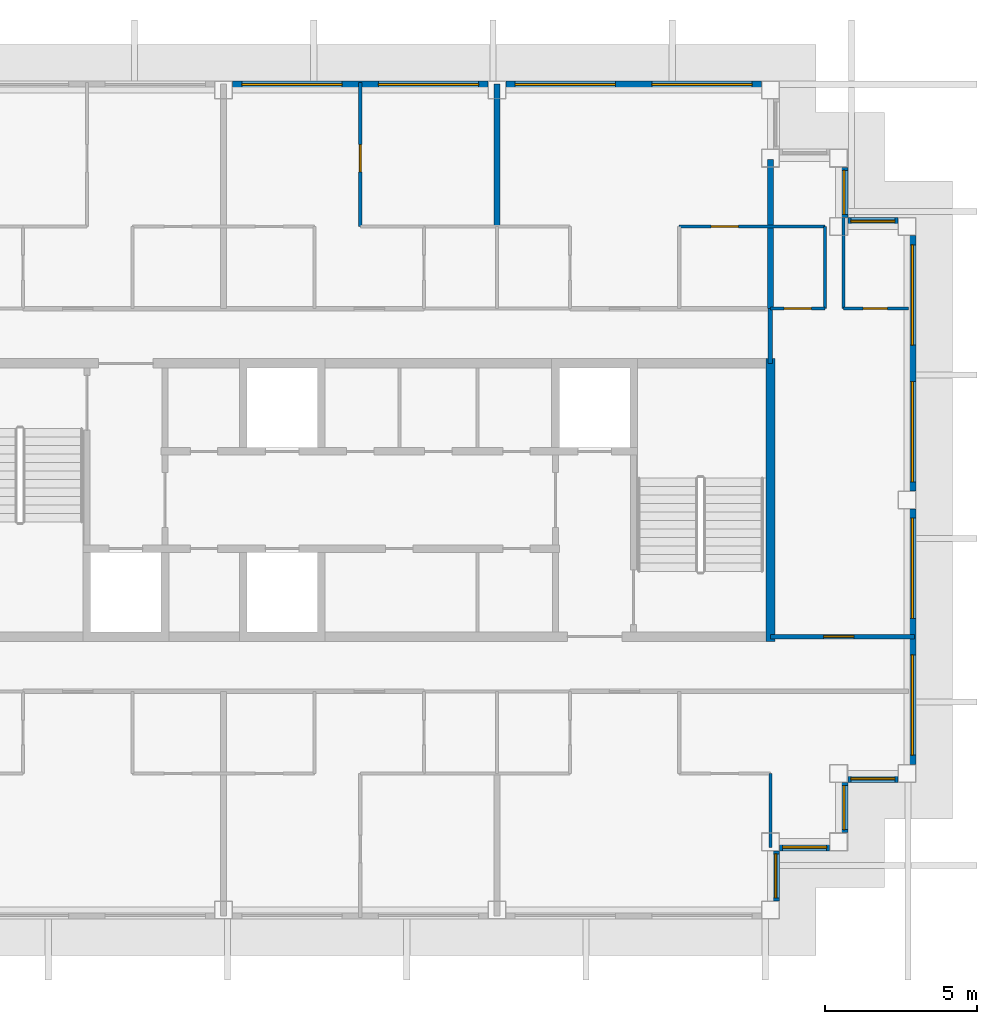
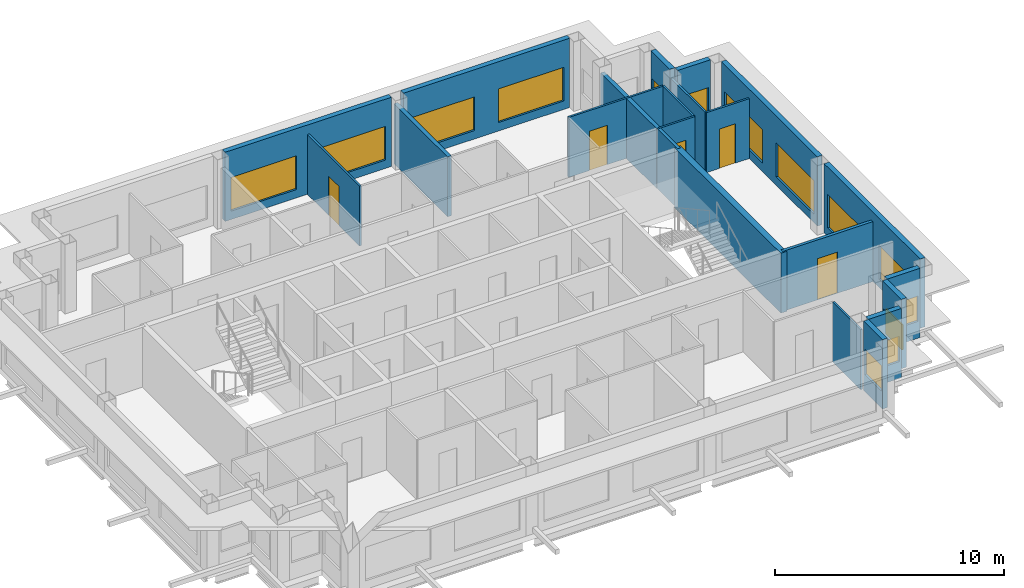
# One storey, part 5 of 11: 22 walls, 14 windows, 5 doors, 19 openings.
"""IFC4 building model written with IfcOpenShell, lengths in metres."""

from ifc_helpers import new_model, si_unit, direction, frame, frame_2d, origin, place, context, subcontext, project, spatial, rectangle, extrude, material, layer, layer_set, type_object, element, fill, save


model = new_model("IFC4")

# Units and contexts
model_context = context("Model", 3, precision=1e-05, world=origin(), true_north=direction((0.0, 1.0)))
body_context = subcontext(model_context, "Body", "Model", "MODEL_VIEW")
ifc_project = project(units=[si_unit("LENGTHUNIT", "METRE"), si_unit("AREAUNIT", "SQUARE_METRE"), si_unit("VOLUMEUNIT", "CUBIC_METRE"), si_unit("PLANEANGLEUNIT", "RADIAN"), si_unit("MASSUNIT", "GRAM", prefix="KILO")], contexts=[model_context])

# Site, building, storey
site_placement = place(None, origin())
site = spatial("IfcSite", under=ifc_project, at=site_placement, CompositionType="ELEMENT")
building_placement = place(site_placement, origin())
building = spatial("IfcBuilding", under=site, at=building_placement, Name="Caravel Reach Hotel and Residences", CompositionType="ELEMENT")
storey_placement = place(building_placement, frame((0.0, 0.0, 301.89990234375)))
storey = spatial("IfcBuildingStorey", under=building, at=storey_placement, Name="L77", CompositionType="ELEMENT", Elevation=301.89990234375)

# Wall, opening, door
ifc_material_1 = material(Name="Gypsum board on steel stud", Category="steel")
ifc_layer_1 = layer(ifc_material_1, 0.10009765625)
ifc_layer_set_1 = layer_set([ifc_layer_1], Name="Bathroom pod wall 100 mm")
wall_type_1 = type_object("IfcWallType", Name="Bathroom pod wall 100 mm", PredefinedType="PARTITIONING", material=ifc_layer_set_1)
wall_1_placement = place(storey_placement, frame((47.39990234375, 33.300048828125, 0.0), z_axis=(0.0, 0.0, 1.0), x_axis=(1.0, 0.0, 0.0)))
wall_1 = element("IfcWall", 1, at=wall_1_placement, inside=storey, type_object=wall_type_1, Name="L77 wall w063", PredefinedType="PARTITIONING", context=body_context, shape_type="SweptSolid", body=[
    extrude(rectangle(XDim=2.150146484375, YDim=0.10009765625, at=frame_2d((1.0751953125, 0.0))), origin(), (0.0, 0.0, 1.0), 3.2001953125),
])
opening_1_placement = place(wall_1_placement, frame((0.64990234375, 0.0, 0.0)))
opening_1 = element("IfcOpeningElement", 2, at=opening_1_placement, cuts=wall_1, Name="Opening D77-043", PredefinedType="OPENING", context=body_context, shape_type="SweptSolid", body=[
    extrude(rectangle(XDim=0.800048828125, YDim=2.10009765625, at=frame_2d((0.39990234375, 1.050048828125))), frame((0.0, 0.06005859375, 0.0), z_axis=(0.0, -1.0, 0.0), x_axis=(1.0, 0.0, 0.0)), (0.0, 0.0, 1.0), 0.1201171875),
])
ifc_material_2 = material(Name="Timber and steel door leaf", Category="steel")
door_type_1 = type_object("IfcDoorType", Name="Bathroom door 800 x 2100", OperationType="SINGLE_SWING_LEFT", PredefinedType="DOOR", material=ifc_material_2)
door_1_placement = place(opening_1_placement, origin())
door_1 = element("IfcDoor", 3, at=door_1_placement, inside=storey, type_object=door_type_1, Name="door D77-043", OperationType="SINGLE_SWING_RIGHT", OverallHeight=2.10009765625, OverallWidth=0.800048828125, PredefinedType="DOOR", context=body_context, shape_type="SweptSolid", body=[
    extrude(rectangle(XDim=0.800048828125, YDim=2.10009765625, at=frame_2d((0.39990234375, 1.050048828125))), frame((0.0, 0.02490234375, 0.0), z_axis=(0.0, -1.0, 0.0), x_axis=(1.0, 0.0, 0.0)), (0.0, 0.0, 1.0), 0.050048828125),
])
fill(opening_1, door_1)

# Walls
wall_2_placement = place(storey_placement, frame((47.39990234375, 33.300048828125, 0.0), z_axis=(0.0, 0.0, 1.0), x_axis=(0.0, 1.0, 0.0)))
element("IfcWall", 4, at=wall_2_placement, inside=storey, type_object=wall_type_1, Name="L77 wall w078", PredefinedType="PARTITIONING", context=body_context, shape_type="SweptSolid", body=[
    extrude(rectangle(XDim=3.0, YDim=0.10009765625, at=frame_2d((1.5, 0.0))), origin(), (0.0, 0.0, 1.0), 3.2001953125),
])
ifc_material_3 = material(Name="Concrete C60", Category="concrete")
ifc_layer_2 = layer(ifc_material_3, 0.300048828125)
ifc_layer_set_2 = layer_set([ifc_layer_2], Name="Core wall 300 mm EI 120")
wall_type_2 = type_object("IfcWallType", Name="Core wall 300 mm EI 120", PredefinedType="SHEAR", material=ifc_layer_set_2)
wall_3_placement = place(storey_placement, frame((45.0, 22.35009765625, 0.0), z_axis=(0.0, 0.0, 1.0), x_axis=(0.0, 1.0, 0.0)))
element("IfcWall", 5, at=wall_3_placement, inside=storey, type_object=wall_type_2, Name="L77 core wall E", PredefinedType="SHEAR", context=body_context, shape_type="SweptSolid", body=[
    extrude(rectangle(XDim=9.2998046875, YDim=0.300048828125, at=frame_2d((4.64990234375, 0.0))), origin(), (0.0, 0.0, 1.0), 3.2001953125),
])

# Wall, opening, door
ifc_material_4 = material(Name="Gypsum board on steel stud, fire-rated", Category="steel")
ifc_layer_3 = layer(ifc_material_4, 0.14990234375)
ifc_layer_set_3 = layer_set([ifc_layer_3], Name="Corridor wall 150 mm EI 60")
wall_type_3 = type_object("IfcWallType", Name="Corridor wall 150 mm EI 60", PredefinedType="PARTITIONING", material=ifc_layer_set_3)
wall_4_placement = place(storey_placement, frame((45.0, 22.5, 0.0), z_axis=(0.0, 0.0, 1.0), x_axis=(1.0, 0.0, 0.0)))
wall_4 = element("IfcWall", 6, at=wall_4_placement, inside=storey, type_object=wall_type_3, Name="L77 wall w008", PredefinedType="PARTITIONING", context=body_context, shape_type="SweptSolid", body=[
    extrude(rectangle(XDim=4.739990234375, YDim=0.14990234375, at=frame_2d((2.3701171875, 0.0))), origin(), (0.0, 0.0, 1.0), 3.2001953125),
])
opening_2_placement = place(wall_4_placement, frame((1.75, 0.0, 0.0)))
opening_2 = element("IfcOpeningElement", 7, at=opening_2_placement, cuts=wall_4, Name="Opening D77-042", PredefinedType="OPENING", context=body_context, shape_type="SweptSolid", body=[
    extrude(rectangle(XDim=1.0, YDim=2.199951171875, at=frame_2d((0.5, 1.10009765625))), frame((0.0, 0.0849609375, 0.0), z_axis=(0.0, -1.0, 0.0), x_axis=(1.0, 0.0, 0.0)), (0.0, 0.0, 1.0), 0.169921875),
])
ifc_material_5 = material(Name="Steel fire door leaf", Category="steel")
door_type_2 = type_object("IfcDoorType", Name="Flat entrance door 1000 x 2200 EI 60", OperationType="SINGLE_SWING_LEFT", PredefinedType="DOOR", material=ifc_material_5)
door_2_placement = place(opening_2_placement, origin())
door_2 = element("IfcDoor", 8, at=door_2_placement, inside=storey, type_object=door_type_2, Name="door D77-042", OperationType="SINGLE_SWING_LEFT", OverallHeight=2.199951171875, OverallWidth=1.0, PredefinedType="DOOR", context=body_context, shape_type="SweptSolid", body=[
    extrude(rectangle(XDim=1.0, YDim=2.199951171875, at=frame_2d((0.5, 1.10009765625))), frame((0.0, 0.02490234375, 0.0), z_axis=(0.0, -1.0, 0.0), x_axis=(1.0, 0.0, 0.0)), (0.0, 0.0, 1.0), 0.050048828125),
])
fill(opening_2, door_2)

# Wall
wall_5_placement = place(storey_placement, frame((45.0, 31.5, 0.0), z_axis=(0.0, 0.0, 1.0), x_axis=(0.0, 1.0, 0.0)))
element("IfcWall", 9, at=wall_5_placement, inside=storey, type_object=wall_type_3, Name="L77 wall w018", PredefinedType="PARTITIONING", context=body_context, shape_type="SweptSolid", body=[
    extrude(rectangle(XDim=1.800048828125, YDim=0.14990234375, at=frame_2d((0.89990234375, 0.0))), origin(), (0.0, 0.0, 1.0), 3.2001953125),
])

# Wall, opening, window
ifc_material_6 = material(Name="Insulated rainscreen wall, aluminium cladding", Category="aluminium")
ifc_layer_4 = layer(ifc_material_6, 0.25)
ifc_layer_set_4 = layer_set([ifc_layer_4], Name="EW1 Tower rainscreen wall")
wall_type_4 = type_object("IfcWallType", Name="EW1 Tower rainscreen wall", PredefinedType="SOLIDWALL", material=ifc_layer_set_4)
wall_6_placement = place(storey_placement, frame((45.175048828125, 13.800048828125, 0.0), z_axis=(0.0, 0.0, 1.0), x_axis=(0.0, 1.0, 0.0)))
wall_6 = element("IfcWall", 10, at=wall_6_placement, inside=storey, type_object=wall_type_4, Name="External wall L77 E1.1", PredefinedType="SOLIDWALL", context=body_context, shape_type="SweptSolid", body=[
    extrude(rectangle(XDim=1.64990234375, YDim=0.25, at=frame_2d((0.824951171875, 0.0))), origin(), (0.0, 0.0, 1.0), 3.7001953125),
])
opening_3_placement = place(wall_6_placement, frame((0.10009765625, 0.0, 0.89990234375)))
opening_3 = element("IfcOpeningElement", 11, at=opening_3_placement, cuts=wall_6, Name="Opening WN27", PredefinedType="OPENING", context=body_context, shape_type="SweptSolid", body=[
    extrude(rectangle(XDim=1.449951171875, YDim=1.35009765625, at=frame_2d((0.72509765625, 0.675048828125))), frame((0.0, 0.135009765625, 0.0), z_axis=(0.0, -1.0, 0.0), x_axis=(1.0, 0.0, 0.0)), (0.0, 0.0, 1.0), 0.27001953125),
])
ifc_material_7 = material(Name="Dark low-e glazing in black aluminium frame", Category="aluminium")
window_type_1 = type_object("IfcWindowType", Name="Residence bedroom window 1450 x 1350", PartitioningType="SINGLE_PANEL", PredefinedType="WINDOW", material=ifc_material_7)
window_1_placement = place(opening_3_placement, origin())
window_1 = element("IfcWindow", 12, at=window_1_placement, inside=storey, type_object=window_type_1, Name="Window L77 E1.1.1", OverallHeight=1.35009765625, OverallWidth=1.449951171875, PartitioningType="SINGLE_PANEL", PredefinedType="WINDOW", context=body_context, shape_type="SweptSolid", body=[
    extrude(rectangle(XDim=1.449951171875, YDim=1.35009765625, at=frame_2d((0.72509765625, 0.675048828125))), frame((0.0, 0.030029296875, 0.0), z_axis=(0.0, -1.0, 0.0), x_axis=(1.0, 0.0, 0.0)), (0.0, 0.0, 1.0), 0.06005859375),
])
fill(opening_3, window_1)

wall_7_placement = place(storey_placement, frame((45.300048828125, 15.574951171875, 0.0), z_axis=(0.0, 0.0, 1.0), x_axis=(1.0, 0.0, 0.0)))
wall_7 = element("IfcWall", 13, at=wall_7_placement, inside=storey, type_object=wall_type_4, Name="External wall L77 S2.1", PredefinedType="SOLIDWALL", context=body_context, shape_type="SweptSolid", body=[
    extrude(rectangle(XDim=1.64990234375, YDim=0.25, at=frame_2d((0.824951171875, 0.0))), origin(), (0.0, 0.0, 1.0), 3.7001953125),
])
opening_4_placement = place(wall_7_placement, frame((0.10009765625, 0.0, 0.89990234375)))
opening_4 = element("IfcOpeningElement", 14, at=opening_4_placement, cuts=wall_7, Name="Opening WN27", PredefinedType="OPENING", context=body_context, shape_type="SweptSolid", body=[
    extrude(rectangle(XDim=1.449951171875, YDim=1.35009765625, at=frame_2d((0.72509765625, 0.675048828125))), frame((0.0, 0.135009765625, 0.0), z_axis=(0.0, -1.0, 0.0), x_axis=(1.0, 0.0, 0.0)), (0.0, 0.0, 1.0), 0.27001953125),
])
window_2_placement = place(opening_4_placement, origin())
window_2 = element("IfcWindow", 15, at=window_2_placement, inside=storey, type_object=window_type_1, Name="Window L77 S2.1.1", OverallHeight=1.35009765625, OverallWidth=1.449951171875, PartitioningType="SINGLE_PANEL", PredefinedType="WINDOW", context=body_context, shape_type="SweptSolid", body=[
    extrude(rectangle(XDim=1.449951171875, YDim=1.35009765625, at=frame_2d((0.72509765625, 0.675048828125))), frame((0.0, 0.030029296875, 0.0), z_axis=(0.0, -1.0, 0.0), x_axis=(1.0, 0.0, 0.0)), (0.0, 0.0, 1.0), 0.06005859375),
])
fill(opening_4, window_2)

wall_8_placement = place(storey_placement, frame((47.425048828125, 16.050048828125, 0.0), z_axis=(0.0, 0.0, 1.0), x_axis=(0.0, 1.0, 0.0)))
wall_8 = element("IfcWall", 16, at=wall_8_placement, inside=storey, type_object=wall_type_4, Name="External wall L77 E3.1", PredefinedType="SOLIDWALL", context=body_context, shape_type="SweptSolid", body=[
    extrude(rectangle(XDim=1.64990234375, YDim=0.25, at=frame_2d((0.824951171875, 0.0))), origin(), (0.0, 0.0, 1.0), 3.7001953125),
])
opening_5_placement = place(wall_8_placement, frame((0.10009765625, 0.0, 0.89990234375)))
opening_5 = element("IfcOpeningElement", 17, at=opening_5_placement, cuts=wall_8, Name="Opening WN27", PredefinedType="OPENING", context=body_context, shape_type="SweptSolid", body=[
    extrude(rectangle(XDim=1.449951171875, YDim=1.35009765625, at=frame_2d((0.72509765625, 0.675048828125))), frame((0.0, 0.135009765625, 0.0), z_axis=(0.0, -1.0, 0.0), x_axis=(1.0, 0.0, 0.0)), (0.0, 0.0, 1.0), 0.27001953125),
])
window_3_placement = place(opening_5_placement, origin())
window_3 = element("IfcWindow", 18, at=window_3_placement, inside=storey, type_object=window_type_1, Name="Window L77 E3.1.1", OverallHeight=1.35009765625, OverallWidth=1.449951171875, PartitioningType="SINGLE_PANEL", PredefinedType="WINDOW", context=body_context, shape_type="SweptSolid", body=[
    extrude(rectangle(XDim=1.449951171875, YDim=1.35009765625, at=frame_2d((0.72509765625, 0.675048828125))), frame((0.0, 0.030029296875, 0.0), z_axis=(0.0, -1.0, 0.0), x_axis=(1.0, 0.0, 0.0)), (0.0, 0.0, 1.0), 0.06005859375),
])
fill(opening_5, window_3)

wall_9_placement = place(storey_placement, frame((47.550048828125, 17.824951171875, 0.0), z_axis=(0.0, 0.0, 1.0), x_axis=(1.0, 0.0, 0.0)))
wall_9 = element("IfcWall", 19, at=wall_9_placement, inside=storey, type_object=wall_type_4, Name="External wall L77 S4.1", PredefinedType="SOLIDWALL", context=body_context, shape_type="SweptSolid", body=[
    extrude(rectangle(XDim=1.64990234375, YDim=0.25, at=frame_2d((0.824951171875, 0.0))), origin(), (0.0, 0.0, 1.0), 3.7001953125),
])
opening_6_placement = place(wall_9_placement, frame((0.10009765625, 0.0, 0.89990234375)))
opening_6 = element("IfcOpeningElement", 20, at=opening_6_placement, cuts=wall_9, Name="Opening WN27", PredefinedType="OPENING", context=body_context, shape_type="SweptSolid", body=[
    extrude(rectangle(XDim=1.449951171875, YDim=1.35009765625, at=frame_2d((0.72509765625, 0.675048828125))), frame((0.0, 0.135009765625, 0.0), z_axis=(0.0, -1.0, 0.0), x_axis=(1.0, 0.0, 0.0)), (0.0, 0.0, 1.0), 0.27001953125),
])
window_4_placement = place(opening_6_placement, origin())
window_4 = element("IfcWindow", 21, at=window_4_placement, inside=storey, type_object=window_type_1, Name="Window L77 S4.1.1", OverallHeight=1.35009765625, OverallWidth=1.449951171875, PartitioningType="SINGLE_PANEL", PredefinedType="WINDOW", context=body_context, shape_type="SweptSolid", body=[
    extrude(rectangle(XDim=1.449951171875, YDim=1.35009765625, at=frame_2d((0.72509765625, 0.675048828125))), frame((0.0, 0.030029296875, 0.0), z_axis=(0.0, -1.0, 0.0), x_axis=(1.0, 0.0, 0.0)), (0.0, 0.0, 1.0), 0.06005859375),
])
fill(opening_6, window_4)

# Wall, openings, windows
wall_10_placement = place(storey_placement, frame((49.675048828125, 18.300048828125, 0.0), z_axis=(0.0, 0.0, 1.0), x_axis=(0.0, 1.0, 0.0)))
wall_10 = element("IfcWall", 22, at=wall_10_placement, inside=storey, type_object=wall_type_4, Name="External wall L77 E5.1", PredefinedType="SOLIDWALL", context=body_context, shape_type="SweptSolid", body=[
    extrude(rectangle(XDim=8.39990234375, YDim=0.25, at=frame_2d((4.199951171875, 0.0))), origin(), (0.0, 0.0, 1.0), 3.7001953125),
])
opening_7_placement = place(wall_10_placement, frame((0.300048828125, 0.0, 0.449951171875)))
opening_7 = element("IfcOpeningElement", 23, at=opening_7_placement, cuts=wall_10, Name="Opening WN28", PredefinedType="OPENING", context=body_context, shape_type="SweptSolid", body=[
    extrude(rectangle(XDim=3.300048828125, YDim=1.800048828125, at=frame_2d((1.64990234375, 0.89990234375))), frame((0.0, 0.135009765625, 0.0), z_axis=(0.0, -1.0, 0.0), x_axis=(1.0, 0.0, 0.0)), (0.0, 0.0, 1.0), 0.27001953125),
])
opening_8_placement = place(wall_10_placement, frame((4.800048828125, 0.0, 0.449951171875)))
opening_8 = element("IfcOpeningElement", 24, at=opening_8_placement, cuts=wall_10, Name="Opening WN28", PredefinedType="OPENING", context=body_context, shape_type="SweptSolid", body=[
    extrude(rectangle(XDim=3.300048828125, YDim=1.800048828125, at=frame_2d((1.64990234375, 0.89990234375))), frame((0.0, 0.135009765625, 0.0), z_axis=(0.0, -1.0, 0.0), x_axis=(1.0, 0.0, 0.0)), (0.0, 0.0, 1.0), 0.27001953125),
])
ifc_material_8 = material(Name="Dark low-e glazing in black aluminium frame", Category="aluminium")
window_type_2 = type_object("IfcWindowType", Name="Residence living window 3300 x 1800", PartitioningType="SINGLE_PANEL", PredefinedType="WINDOW", material=ifc_material_8)
window_5_placement = place(opening_7_placement, origin())
window_5 = element("IfcWindow", 25, at=window_5_placement, inside=storey, type_object=window_type_2, Name="Window L77 E5.1.1", OverallHeight=1.800048828125, OverallWidth=3.300048828125, PartitioningType="SINGLE_PANEL", PredefinedType="WINDOW", context=body_context, shape_type="SweptSolid", body=[
    extrude(rectangle(XDim=3.300048828125, YDim=1.800048828125, at=frame_2d((1.64990234375, 0.89990234375))), frame((0.0, 0.030029296875, 0.0), z_axis=(0.0, -1.0, 0.0), x_axis=(1.0, 0.0, 0.0)), (0.0, 0.0, 1.0), 0.06005859375),
])
fill(opening_7, window_5)
window_6_placement = place(opening_8_placement, origin())
window_6 = element("IfcWindow", 26, at=window_6_placement, inside=storey, type_object=window_type_2, Name="Window L77 E5.1.2", OverallHeight=1.800048828125, OverallWidth=3.300048828125, PartitioningType="SINGLE_PANEL", PredefinedType="WINDOW", context=body_context, shape_type="SweptSolid", body=[
    extrude(rectangle(XDim=3.300048828125, YDim=1.800048828125, at=frame_2d((1.64990234375, 0.89990234375))), frame((0.0, 0.030029296875, 0.0), z_axis=(0.0, -1.0, 0.0), x_axis=(1.0, 0.0, 0.0)), (0.0, 0.0, 1.0), 0.06005859375),
])
fill(opening_8, window_6)

wall_11_placement = place(storey_placement, frame((49.675048828125, 27.300048828125, 0.0), z_axis=(0.0, 0.0, 1.0), x_axis=(0.0, 1.0, 0.0)))
wall_11 = element("IfcWall", 27, at=wall_11_placement, inside=storey, type_object=wall_type_4, Name="External wall L77 E5.2", PredefinedType="SOLIDWALL", context=body_context, shape_type="SweptSolid", body=[
    extrude(rectangle(XDim=8.39990234375, YDim=0.25, at=frame_2d((4.199951171875, 0.0))), origin(), (0.0, 0.0, 1.0), 3.7001953125),
])
opening_9_placement = place(wall_11_placement, frame((0.300048828125, 0.0, 0.449951171875)))
opening_9 = element("IfcOpeningElement", 28, at=opening_9_placement, cuts=wall_11, Name="Opening WN28", PredefinedType="OPENING", context=body_context, shape_type="SweptSolid", body=[
    extrude(rectangle(XDim=3.300048828125, YDim=1.800048828125, at=frame_2d((1.64990234375, 0.89990234375))), frame((0.0, 0.135009765625, 0.0), z_axis=(0.0, -1.0, 0.0), x_axis=(1.0, 0.0, 0.0)), (0.0, 0.0, 1.0), 0.27001953125),
])
opening_10_placement = place(wall_11_placement, frame((4.800048828125, 0.0, 0.449951171875)))
opening_10 = element("IfcOpeningElement", 29, at=opening_10_placement, cuts=wall_11, Name="Opening WN28", PredefinedType="OPENING", context=body_context, shape_type="SweptSolid", body=[
    extrude(rectangle(XDim=3.300048828125, YDim=1.800048828125, at=frame_2d((1.64990234375, 0.89990234375))), frame((0.0, 0.135009765625, 0.0), z_axis=(0.0, -1.0, 0.0), x_axis=(1.0, 0.0, 0.0)), (0.0, 0.0, 1.0), 0.27001953125),
])
window_7_placement = place(opening_9_placement, origin())
window_7 = element("IfcWindow", 30, at=window_7_placement, inside=storey, type_object=window_type_2, Name="Window L77 E5.2.1", OverallHeight=1.800048828125, OverallWidth=3.300048828125, PartitioningType="SINGLE_PANEL", PredefinedType="WINDOW", context=body_context, shape_type="SweptSolid", body=[
    extrude(rectangle(XDim=3.300048828125, YDim=1.800048828125, at=frame_2d((1.64990234375, 0.89990234375))), frame((0.0, 0.030029296875, 0.0), z_axis=(0.0, -1.0, 0.0), x_axis=(1.0, 0.0, 0.0)), (0.0, 0.0, 1.0), 0.06005859375),
])
fill(opening_9, window_7)
window_8_placement = place(opening_10_placement, origin())
window_8 = element("IfcWindow", 31, at=window_8_placement, inside=storey, type_object=window_type_2, Name="Window L77 E5.2.2", OverallHeight=1.800048828125, OverallWidth=3.300048828125, PartitioningType="SINGLE_PANEL", PredefinedType="WINDOW", context=body_context, shape_type="SweptSolid", body=[
    extrude(rectangle(XDim=3.300048828125, YDim=1.800048828125, at=frame_2d((1.64990234375, 0.89990234375))), frame((0.0, 0.030029296875, 0.0), z_axis=(0.0, -1.0, 0.0), x_axis=(1.0, 0.0, 0.0)), (0.0, 0.0, 1.0), 0.06005859375),
])
fill(opening_10, window_8)

# Wall, opening, window
wall_12_placement = place(storey_placement, frame((49.199951171875, 36.175048828125, 0.0), z_axis=(0.0, 0.0, 1.0), x_axis=(-1.0, 0.0, 0.0)))
wall_12 = element("IfcWall", 32, at=wall_12_placement, inside=storey, type_object=wall_type_4, Name="External wall L77 N6.1", PredefinedType="SOLIDWALL", context=body_context, shape_type="SweptSolid", body=[
    extrude(rectangle(XDim=1.64990234375, YDim=0.25, at=frame_2d((0.824951171875, 0.0))), origin(), (0.0, 0.0, 1.0), 3.7001953125),
])
opening_11_placement = place(wall_12_placement, frame((0.10009765625, 0.0, 0.89990234375)))
opening_11 = element("IfcOpeningElement", 33, at=opening_11_placement, cuts=wall_12, Name="Opening WN27", PredefinedType="OPENING", context=body_context, shape_type="SweptSolid", body=[
    extrude(rectangle(XDim=1.449951171875, YDim=1.35009765625, at=frame_2d((0.72509765625, 0.675048828125))), frame((0.0, 0.135009765625, 0.0), z_axis=(0.0, -1.0, 0.0), x_axis=(1.0, 0.0, 0.0)), (0.0, 0.0, 1.0), 0.27001953125),
])
window_9_placement = place(opening_11_placement, origin())
window_9 = element("IfcWindow", 34, at=window_9_placement, inside=storey, type_object=window_type_1, Name="Window L77 N6.1.1", OverallHeight=1.35009765625, OverallWidth=1.449951171875, PartitioningType="SINGLE_PANEL", PredefinedType="WINDOW", context=body_context, shape_type="SweptSolid", body=[
    extrude(rectangle(XDim=1.449951171875, YDim=1.35009765625, at=frame_2d((0.72509765625, 0.675048828125))), frame((0.0, 0.030029296875, 0.0), z_axis=(0.0, -1.0, 0.0), x_axis=(1.0, 0.0, 0.0)), (0.0, 0.0, 1.0), 0.06005859375),
])
fill(opening_11, window_9)

wall_13_placement = place(storey_placement, frame((47.425048828125, 36.300048828125, 0.0), z_axis=(0.0, 0.0, 1.0), x_axis=(0.0, 1.0, 0.0)))
wall_13 = element("IfcWall", 35, at=wall_13_placement, inside=storey, type_object=wall_type_4, Name="External wall L77 E7.1", PredefinedType="SOLIDWALL", context=body_context, shape_type="SweptSolid", body=[
    extrude(rectangle(XDim=1.64990234375, YDim=0.25, at=frame_2d((0.824951171875, 0.0))), origin(), (0.0, 0.0, 1.0), 3.7001953125),
])
opening_12_placement = place(wall_13_placement, frame((0.10009765625, 0.0, 0.89990234375)))
opening_12 = element("IfcOpeningElement", 36, at=opening_12_placement, cuts=wall_13, Name="Opening WN27", PredefinedType="OPENING", context=body_context, shape_type="SweptSolid", body=[
    extrude(rectangle(XDim=1.449951171875, YDim=1.35009765625, at=frame_2d((0.72509765625, 0.675048828125))), frame((0.0, 0.135009765625, 0.0), z_axis=(0.0, -1.0, 0.0), x_axis=(1.0, 0.0, 0.0)), (0.0, 0.0, 1.0), 0.27001953125),
])
window_10_placement = place(opening_12_placement, origin())
window_10 = element("IfcWindow", 37, at=window_10_placement, inside=storey, type_object=window_type_1, Name="Window L77 E7.1.1", OverallHeight=1.35009765625, OverallWidth=1.449951171875, PartitioningType="SINGLE_PANEL", PredefinedType="WINDOW", context=body_context, shape_type="SweptSolid", body=[
    extrude(rectangle(XDim=1.449951171875, YDim=1.35009765625, at=frame_2d((0.72509765625, 0.675048828125))), frame((0.0, 0.030029296875, 0.0), z_axis=(0.0, -1.0, 0.0), x_axis=(1.0, 0.0, 0.0)), (0.0, 0.0, 1.0), 0.06005859375),
])
fill(opening_12, window_10)

# Wall, openings, windows
wall_14_placement = place(storey_placement, frame((44.699951171875, 40.675048828125, 0.0), z_axis=(0.0, 0.0, 1.0), x_axis=(-1.0, 0.0, 0.0)))
wall_14 = element("IfcWall", 38, at=wall_14_placement, inside=storey, type_object=wall_type_4, Name="External wall L77 N10.1", PredefinedType="SOLIDWALL", context=body_context, shape_type="SweptSolid", body=[
    extrude(rectangle(XDim=8.39990234375, YDim=0.25, at=frame_2d((4.199951171875, 0.0))), origin(), (0.0, 0.0, 1.0), 3.7001953125),
])
opening_13_placement = place(wall_14_placement, frame((0.300048828125, 0.0, 0.449951171875)))
opening_13 = element("IfcOpeningElement", 39, at=opening_13_placement, cuts=wall_14, Name="Opening WN28", PredefinedType="OPENING", context=body_context, shape_type="SweptSolid", body=[
    extrude(rectangle(XDim=3.300048828125, YDim=1.800048828125, at=frame_2d((1.64990234375, 0.89990234375))), frame((0.0, 0.135009765625, 0.0), z_axis=(0.0, -1.0, 0.0), x_axis=(1.0, 0.0, 0.0)), (0.0, 0.0, 1.0), 0.27001953125),
])
opening_14_placement = place(wall_14_placement, frame((4.800048828125, 0.0, 0.449951171875)))
opening_14 = element("IfcOpeningElement", 40, at=opening_14_placement, cuts=wall_14, Name="Opening WN28", PredefinedType="OPENING", context=body_context, shape_type="SweptSolid", body=[
    extrude(rectangle(XDim=3.300048828125, YDim=1.800048828125, at=frame_2d((1.64990234375, 0.89990234375))), frame((0.0, 0.135009765625, 0.0), z_axis=(0.0, -1.0, 0.0), x_axis=(1.0, 0.0, 0.0)), (0.0, 0.0, 1.0), 0.27001953125),
])
window_11_placement = place(opening_13_placement, origin())
window_11 = element("IfcWindow", 41, at=window_11_placement, inside=storey, type_object=window_type_2, Name="Window L77 N10.1.1", OverallHeight=1.800048828125, OverallWidth=3.300048828125, PartitioningType="SINGLE_PANEL", PredefinedType="WINDOW", context=body_context, shape_type="SweptSolid", body=[
    extrude(rectangle(XDim=3.300048828125, YDim=1.800048828125, at=frame_2d((1.64990234375, 0.89990234375))), frame((0.0, 0.030029296875, 0.0), z_axis=(0.0, -1.0, 0.0), x_axis=(1.0, 0.0, 0.0)), (0.0, 0.0, 1.0), 0.06005859375),
])
fill(opening_13, window_11)
window_12_placement = place(opening_14_placement, origin())
window_12 = element("IfcWindow", 42, at=window_12_placement, inside=storey, type_object=window_type_2, Name="Window L77 N10.1.2", OverallHeight=1.800048828125, OverallWidth=3.300048828125, PartitioningType="SINGLE_PANEL", PredefinedType="WINDOW", context=body_context, shape_type="SweptSolid", body=[
    extrude(rectangle(XDim=3.300048828125, YDim=1.800048828125, at=frame_2d((1.64990234375, 0.89990234375))), frame((0.0, 0.030029296875, 0.0), z_axis=(0.0, -1.0, 0.0), x_axis=(1.0, 0.0, 0.0)), (0.0, 0.0, 1.0), 0.06005859375),
])
fill(opening_14, window_12)

wall_15_placement = place(storey_placement, frame((35.699951171875, 40.675048828125, 0.0), z_axis=(0.0, 0.0, 1.0), x_axis=(-1.0, 0.0, 0.0)))
wall_15 = element("IfcWall", 43, at=wall_15_placement, inside=storey, type_object=wall_type_4, Name="External wall L77 N10.2", PredefinedType="SOLIDWALL", context=body_context, shape_type="SweptSolid", body=[
    extrude(rectangle(XDim=8.39990234375, YDim=0.25, at=frame_2d((4.199951171875, 0.0))), origin(), (0.0, 0.0, 1.0), 3.7001953125),
])
opening_15_placement = place(wall_15_placement, frame((0.300048828125, 0.0, 0.449951171875)))
opening_15 = element("IfcOpeningElement", 44, at=opening_15_placement, cuts=wall_15, Name="Opening WN28", PredefinedType="OPENING", context=body_context, shape_type="SweptSolid", body=[
    extrude(rectangle(XDim=3.300048828125, YDim=1.800048828125, at=frame_2d((1.64990234375, 0.89990234375))), frame((0.0, 0.135009765625, 0.0), z_axis=(0.0, -1.0, 0.0), x_axis=(1.0, 0.0, 0.0)), (0.0, 0.0, 1.0), 0.27001953125),
])
opening_16_placement = place(wall_15_placement, frame((4.800048828125, 0.0, 0.449951171875)))
opening_16 = element("IfcOpeningElement", 45, at=opening_16_placement, cuts=wall_15, Name="Opening WN28", PredefinedType="OPENING", context=body_context, shape_type="SweptSolid", body=[
    extrude(rectangle(XDim=3.300048828125, YDim=1.800048828125, at=frame_2d((1.64990234375, 0.89990234375))), frame((0.0, 0.135009765625, 0.0), z_axis=(0.0, -1.0, 0.0), x_axis=(1.0, 0.0, 0.0)), (0.0, 0.0, 1.0), 0.27001953125),
])
window_13_placement = place(opening_15_placement, origin())
window_13 = element("IfcWindow", 46, at=window_13_placement, inside=storey, type_object=window_type_2, Name="Window L77 N10.2.1", OverallHeight=1.800048828125, OverallWidth=3.300048828125, PartitioningType="SINGLE_PANEL", PredefinedType="WINDOW", context=body_context, shape_type="SweptSolid", body=[
    extrude(rectangle(XDim=3.300048828125, YDim=1.800048828125, at=frame_2d((1.64990234375, 0.89990234375))), frame((0.0, 0.030029296875, 0.0), z_axis=(0.0, -1.0, 0.0), x_axis=(1.0, 0.0, 0.0)), (0.0, 0.0, 1.0), 0.06005859375),
])
fill(opening_15, window_13)
window_14_placement = place(opening_16_placement, origin())
window_14 = element("IfcWindow", 47, at=window_14_placement, inside=storey, type_object=window_type_2, Name="Window L77 N10.2.2", OverallHeight=1.800048828125, OverallWidth=3.300048828125, PartitioningType="SINGLE_PANEL", PredefinedType="WINDOW", context=body_context, shape_type="SweptSolid", body=[
    extrude(rectangle(XDim=3.300048828125, YDim=1.800048828125, at=frame_2d((1.64990234375, 0.89990234375))), frame((0.0, 0.030029296875, 0.0), z_axis=(0.0, -1.0, 0.0), x_axis=(1.0, 0.0, 0.0)), (0.0, 0.0, 1.0), 0.06005859375),
])
fill(opening_16, window_14)

# Wall, opening, door
ifc_material_9 = material(Name="Gypsum board on steel stud", Category="steel")
ifc_layer_5 = layer(ifc_material_9, 0.10009765625)
ifc_layer_set_5 = layer_set([ifc_layer_5], Name="Partition 100 mm")
wall_type_5 = type_object("IfcWallType", Name="Partition 100 mm", PredefinedType="PARTITIONING", material=ifc_layer_set_5)
wall_16_placement = place(storey_placement, frame((45.0, 33.300048828125, 0.0), z_axis=(0.0, 0.0, 1.0), x_axis=(1.0, 0.0, 0.0)))
wall_16 = element("IfcWall", 48, at=wall_16_placement, inside=storey, type_object=wall_type_5, Name="L77 wall w025", PredefinedType="PARTITIONING", context=body_context, shape_type="SweptSolid", body=[
    extrude(rectangle(XDim=1.800048828125, YDim=0.10009765625, at=frame_2d((0.89990234375, 0.0))), origin(), (0.0, 0.0, 1.0), 3.2001953125),
])
opening_17_placement = place(wall_16_placement, frame((0.449951171875, 0.0, 0.0)))
opening_17 = element("IfcOpeningElement", 49, at=opening_17_placement, cuts=wall_16, Name="Opening D77-044", PredefinedType="OPENING", context=body_context, shape_type="SweptSolid", body=[
    extrude(rectangle(XDim=0.89990234375, YDim=2.10009765625, at=frame_2d((0.449951171875, 1.050048828125))), frame((0.0, 0.06005859375, 0.0), z_axis=(0.0, -1.0, 0.0), x_axis=(1.0, 0.0, 0.0)), (0.0, 0.0, 1.0), 0.1201171875),
])
ifc_material_10 = material(Name="Timber and steel door leaf", Category="steel")
door_type_3 = type_object("IfcDoorType", Name="Door 900 x 2100 timber", OperationType="SINGLE_SWING_LEFT", PredefinedType="DOOR", material=ifc_material_10)
door_3_placement = place(opening_17_placement, origin())
door_3 = element("IfcDoor", 50, at=door_3_placement, inside=storey, type_object=door_type_3, Name="door D77-044", OperationType="SINGLE_SWING_LEFT", OverallHeight=2.10009765625, OverallWidth=0.89990234375, PredefinedType="DOOR", context=body_context, shape_type="SweptSolid", body=[
    extrude(rectangle(XDim=0.89990234375, YDim=2.10009765625, at=frame_2d((0.449951171875, 1.050048828125))), frame((0.0, 0.02490234375, 0.0), z_axis=(0.0, -1.0, 0.0), x_axis=(1.0, 0.0, 0.0)), (0.0, 0.0, 1.0), 0.050048828125),
])
fill(opening_17, door_3)

wall_17_placement = place(storey_placement, frame((42.0, 36.0, 0.0), z_axis=(0.0, 0.0, 1.0), x_axis=(1.0, 0.0, 0.0)))
wall_17 = element("IfcWall", 51, at=wall_17_placement, inside=storey, type_object=wall_type_5, Name="L77 wall w030", PredefinedType="PARTITIONING", context=body_context, shape_type="SweptSolid", body=[
    extrude(rectangle(XDim=4.800048828125, YDim=0.10009765625, at=frame_2d((2.39990234375, 0.0))), origin(), (0.0, 0.0, 1.0), 3.2001953125),
])
opening_18_placement = place(wall_17_placement, frame((1.050048828125, 0.0, 0.0)))
opening_18 = element("IfcOpeningElement", 52, at=opening_18_placement, cuts=wall_17, Name="Opening D77-028", PredefinedType="OPENING", context=body_context, shape_type="SweptSolid", body=[
    extrude(rectangle(XDim=0.89990234375, YDim=2.10009765625, at=frame_2d((0.449951171875, 1.050048828125))), frame((0.0, 0.06005859375, 0.0), z_axis=(0.0, -1.0, 0.0), x_axis=(1.0, 0.0, 0.0)), (0.0, 0.0, 1.0), 0.1201171875),
])
door_4_placement = place(opening_18_placement, origin())
door_4 = element("IfcDoor", 53, at=door_4_placement, inside=storey, type_object=door_type_3, Name="door D77-028", OperationType="SINGLE_SWING_LEFT", OverallHeight=2.10009765625, OverallWidth=0.89990234375, PredefinedType="DOOR", context=body_context, shape_type="SweptSolid", body=[
    extrude(rectangle(XDim=0.89990234375, YDim=2.10009765625, at=frame_2d((0.449951171875, 1.050048828125))), frame((0.0, 0.02490234375, 0.0), z_axis=(0.0, -1.0, 0.0), x_axis=(1.0, 0.0, 0.0)), (0.0, 0.0, 1.0), 0.050048828125),
])
fill(opening_18, door_4)

wall_18_placement = place(storey_placement, frame((31.5, 36.0, 0.0), z_axis=(0.0, 0.0, 1.0), x_axis=(0.0, 1.0, 0.0)))
wall_18 = element("IfcWall", 54, at=wall_18_placement, inside=storey, type_object=wall_type_5, Name="L77 wall w038", PredefinedType="PARTITIONING", context=body_context, shape_type="SweptSolid", body=[
    extrude(rectangle(XDim=4.739990234375, YDim=0.10009765625, at=frame_2d((2.3701171875, 0.0))), origin(), (0.0, 0.0, 1.0), 3.2001953125),
])
opening_19_placement = place(wall_18_placement, frame((1.800048828125, 0.0, 0.0)))
opening_19 = element("IfcOpeningElement", 55, at=opening_19_placement, cuts=wall_18, Name="Opening D77-025", PredefinedType="OPENING", context=body_context, shape_type="SweptSolid", body=[
    extrude(rectangle(XDim=0.89990234375, YDim=2.10009765625, at=frame_2d((0.449951171875, 1.050048828125))), frame((0.0, 0.06005859375, 0.0), z_axis=(0.0, -1.0, 0.0), x_axis=(1.0, 0.0, 0.0)), (0.0, 0.0, 1.0), 0.1201171875),
])
door_5_placement = place(opening_19_placement, origin())
door_5 = element("IfcDoor", 56, at=door_5_placement, inside=storey, type_object=door_type_3, Name="door D77-025", OperationType="SINGLE_SWING_RIGHT", OverallHeight=2.10009765625, OverallWidth=0.89990234375, PredefinedType="DOOR", context=body_context, shape_type="SweptSolid", body=[
    extrude(rectangle(XDim=0.89990234375, YDim=2.10009765625, at=frame_2d((0.449951171875, 1.050048828125))), frame((0.0, 0.02490234375, 0.0), z_axis=(0.0, -1.0, 0.0), x_axis=(1.0, 0.0, 0.0)), (0.0, 0.0, 1.0), 0.050048828125),
])
fill(opening_19, door_5)

# Walls
wall_19_placement = place(storey_placement, frame((45.0, 15.56005859375, 0.0), z_axis=(0.0, 0.0, 1.0), x_axis=(0.0, 1.0, 0.0)))
element("IfcWall", 57, at=wall_19_placement, inside=storey, type_object=wall_type_5, Name="L77 wall w042", PredefinedType="PARTITIONING", context=body_context, shape_type="SweptSolid", body=[
    extrude(rectangle(XDim=2.43994140625, YDim=0.10009765625, at=frame_2d((1.219970703125, 0.0))), origin(), (0.0, 0.0, 1.0), 3.2001953125),
])
wall_20_placement = place(storey_placement, frame((46.800048828125, 33.300048828125, 0.0), z_axis=(0.0, 0.0, 1.0), x_axis=(0.0, 1.0, 0.0)))
element("IfcWall", 58, at=wall_20_placement, inside=storey, type_object=wall_type_5, Name="L77 wall w043", PredefinedType="PARTITIONING", context=body_context, shape_type="SweptSolid", body=[
    extrude(rectangle(XDim=2.699951171875, YDim=0.10009765625, at=frame_2d((1.35009765625, 0.0))), origin(), (0.0, 0.0, 1.0), 3.2001953125),
])
ifc_material_11 = material(Name="Autoclaved aerated block wall")
ifc_layer_6 = layer(ifc_material_11, 0.199951171875)
ifc_layer_set_6 = layer_set([ifc_layer_6], Name="Party wall 200 mm EI 60")
wall_type_6 = type_object("IfcWallType", Name="Party wall 200 mm EI 60", PredefinedType="PARTITIONING", material=ifc_layer_set_6)
wall_21_placement = place(storey_placement, frame((36.0, 36.0, 0.0), z_axis=(0.0, 0.0, 1.0), x_axis=(0.0, 1.0, 0.0)))
element("IfcWall", 59, at=wall_21_placement, inside=storey, type_object=wall_type_6, Name="L77 wall w049", PredefinedType="PARTITIONING", context=body_context, shape_type="SweptSolid", body=[
    extrude(rectangle(XDim=4.68994140625, YDim=0.199951171875, at=frame_2d((2.344970703125, 0.0))), origin(), (0.0, 0.0, 1.0), 3.2001953125),
])
wall_22_placement = place(storey_placement, frame((45.0, 33.300048828125, 0.0), z_axis=(0.0, 0.0, 1.0), x_axis=(0.0, 1.0, 0.0)))
element("IfcWall", 60, at=wall_22_placement, inside=storey, type_object=wall_type_6, Name="L77 wall w052", PredefinedType="PARTITIONING", context=body_context, shape_type="SweptSolid", body=[
    extrude(rectangle(XDim=4.89990234375, YDim=0.199951171875, at=frame_2d((2.449951171875, 0.0))), origin(), (0.0, 0.0, 1.0), 3.2001953125),
])

save(model, "model.ifc")
